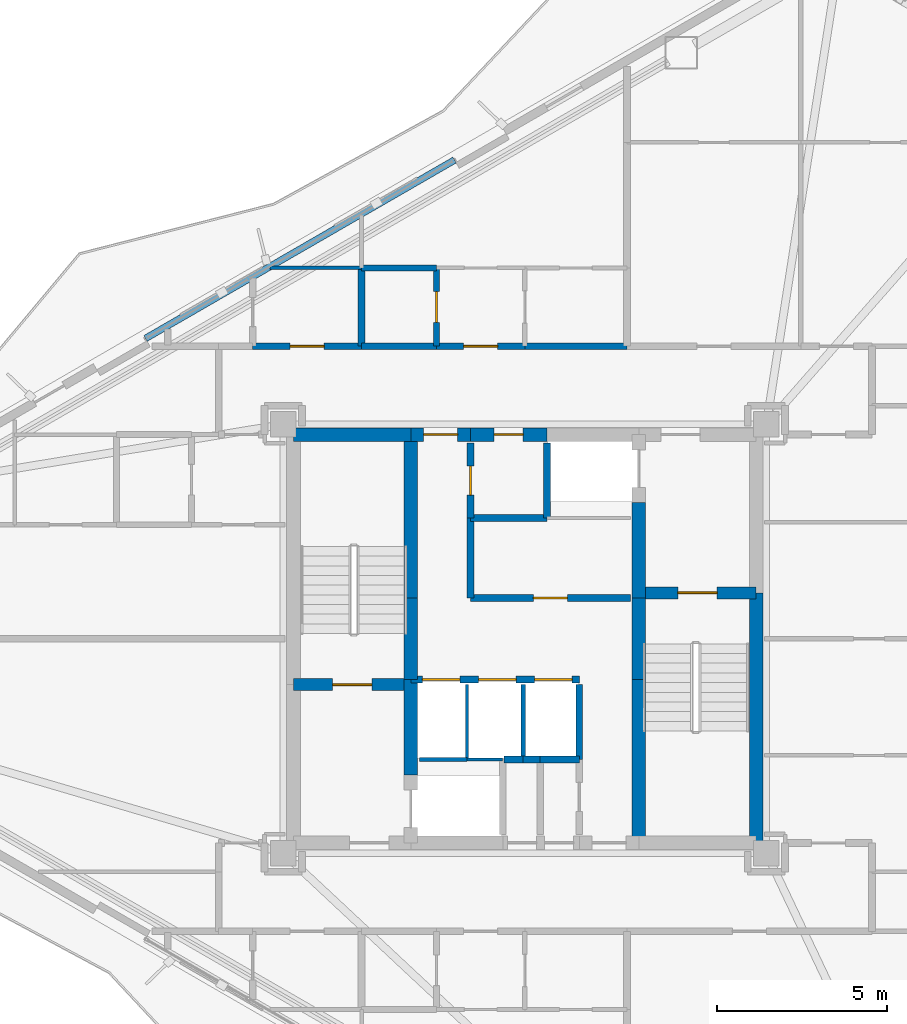
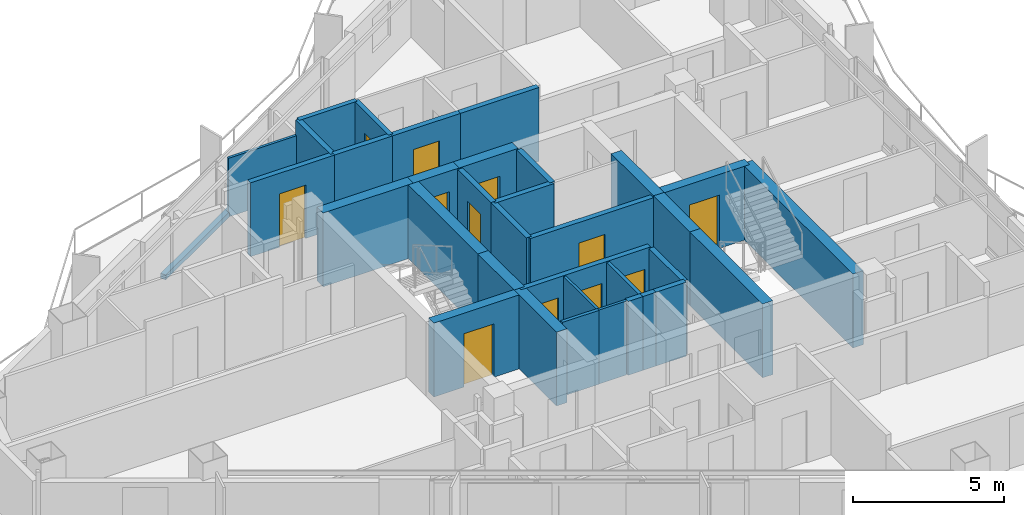
# One storey, part 14 of 18: 35 walls, 12 doors, 12 openings.
"""IFC4 building model written with IfcOpenShell, lengths in metres."""

from ifc_helpers import new_model, si_unit, direction, frame, frame_2d, origin, place, context, subcontext, project, spatial, rectangle, extrude, material, layer, layer_set, type_object, element, fill, save


model = new_model("IFC4")

# Units and contexts
model_context = context("Model", 3, precision=1e-05, world=origin(), true_north=direction((0.0, 1.0)))
body_context = subcontext(model_context, "Body", "Model", "MODEL_VIEW")
ifc_project = project(units=[si_unit("LENGTHUNIT", "METRE"), si_unit("AREAUNIT", "SQUARE_METRE"), si_unit("VOLUMEUNIT", "CUBIC_METRE"), si_unit("PLANEANGLEUNIT", "RADIAN"), si_unit("MASSUNIT", "GRAM", prefix="KILO")], contexts=[model_context])

# Site, building, storey
site_placement = place(None, origin())
site = spatial("IfcSite", under=ifc_project, at=site_placement, CompositionType="ELEMENT")
building_placement = place(site_placement, origin())
building = spatial("IfcBuilding", under=site, at=building_placement, Name="Mersakhor Tower and Convention Hall", CompositionType="ELEMENT")
storey_placement = place(building_placement, frame((0.0, 0.0, 157.5)))
storey = spatial("IfcBuildingStorey", under=building, at=storey_placement, Name="L44", CompositionType="ELEMENT", Elevation=157.5)

# Wall
ifc_material_1 = material(Name="Precast concrete C40/50", Category="concrete")
ifc_layer_1 = layer(ifc_material_1, 0.199951171875)
ifc_layer_set_1 = layer_set([ifc_layer_1], Name="Precast concrete C40/50")
wall_type_1 = type_object("IfcWallType", Name="WL-PAR-200", PredefinedType="PARAPET", material=ifc_layer_set_1)
wall_1_placement = place(storey_placement, frame((17.849853515625, 35.57666015625, 0.0), z_axis=(0.0, 0.0, 1.0), x_axis=(0.866026619769, 0.499997893847, 0.0)))
element("IfcWall", 1, at=wall_1_placement, inside=storey, type_object=wall_type_1, Name="L44 Curtain Wall Upstand Sill F1-B2", PredefinedType="PARAPET", context=body_context, shape_type="SweptSolid", body=[
    extrude(rectangle(XDim=10.48583984375, YDim=0.199951171875, at=frame_2d((5.242919921875, 0.0))), origin(), (0.0, 0.0, 1.0), 0.199951171875),
])

# Wall, opening, door
ifc_material_2 = material(Name="Moisture-resistant acoustic drywall studwork", Category="other")
ifc_layer_2 = layer(ifc_material_2, 0.175048828125)
ifc_layer_set_2 = layer_set([ifc_layer_2], Name="Moisture-resistant acoustic drywall studwork")
wall_type_2 = type_object("IfcWallType", Name="WL-PLM-175", PredefinedType="PLUMBINGWALL", material=ifc_layer_set_2)
wall_2_placement = place(storey_placement, frame((26.39990234375, 35.35009765625, 0.0), z_axis=(0.0, 0.0, 1.0), x_axis=(0.0, 1.0, 0.0)))
wall_2 = element("IfcWall", 2, at=wall_2_placement, inside=storey, type_object=wall_type_2, Name="L44 Interior Partition Wall P-054", PredefinedType="PLUMBINGWALL", context=body_context, shape_type="SweptSolid", body=[
    extrude(rectangle(XDim=2.2998046875, YDim=0.175048828125, at=frame_2d((1.14990234375, 0.0))), origin(), (0.0, 0.0, 1.0), 2.97998046875),
])
opening_1_placement = place(wall_2_placement, frame((0.699951171875, 0.0, 0.0)))
opening_1 = element("IfcOpeningElement", 3, at=opening_1_placement, cuts=wall_2, Name="Opening WD-01", PredefinedType="OPENING", context=body_context, shape_type="SweptSolid", body=[
    extrude(rectangle(XDim=0.89990234375, YDim=2.10009765625, at=frame_2d((0.449951171875, 1.050048828125))), frame((0.0, 0.097412109375, 0.0), z_axis=(0.0, -1.0, 0.0), x_axis=(1.0, 0.0, 0.0)), (0.0, 0.0, 1.0), 0.195068359375),
])
ifc_material_3 = material(Name="Solid-core hardwood leaf in painted steel frame", Category="steel")
door_type_1 = type_object("IfcDoorType", Name="DR-INT-WET-090x210", OperationType="NOTDEFINED", PredefinedType="DOOR", material=ifc_material_3)
door_1_placement = place(opening_1_placement, origin())
door_1 = element("IfcDoor", 4, at=door_1_placement, inside=storey, type_object=door_type_1, Name="L44 L44 Flat N2 Apartment Hall to L44 Flat N2 Bathroom Door", OperationType="SINGLE_SWING_LEFT", OverallHeight=2.10009765625, OverallWidth=0.89990234375, PredefinedType="DOOR", context=body_context, shape_type="SweptSolid", body=[
    extrude(rectangle(XDim=0.89990234375, YDim=2.10009765625, at=frame_2d((0.449951171875, 1.050048828125))), frame((0.0, 0.02490234375, 0.0), z_axis=(0.0, -1.0, 0.0), x_axis=(1.0, 0.0, 0.0)), (0.0, 0.0, 1.0), 0.050048828125),
])
fill(opening_1, door_1)

# Walls
wall_3_placement = place(storey_placement, frame((24.199951171875, 37.64990234375, 0.0), z_axis=(0.0, 0.0, 1.0), x_axis=(1.0, 0.0, 0.0)))
element("IfcWall", 5, at=wall_3_placement, inside=storey, type_object=wall_type_2, Name="L44 Interior Partition Wall P-063", PredefinedType="PLUMBINGWALL", context=body_context, shape_type="SweptSolid", body=[
    extrude(rectangle(XDim=2.199951171875, YDim=0.175048828125, at=frame_2d((1.10009765625, 0.0))), origin(), (0.0, 0.0, 1.0), 2.97998046875),
])
ifc_material_4 = material(Name="Lightweight gypsum partition", Category="other")
ifc_layer_3 = layer(ifc_material_4, 0.10009765625)
ifc_layer_set_3 = layer_set([ifc_layer_3], Name="Lightweight gypsum partition")
wall_type_3 = type_object("IfcWallType", Name="WL-PRT-100", PredefinedType="PARTITIONING", material=ifc_layer_set_3)
wall_4_placement = place(storey_placement, frame((27.300048828125, 23.199951171875, 0.0), z_axis=(0.0, 0.0, 1.0), x_axis=(1.0, 0.0, 0.0)))
element("IfcWall", 6, at=wall_4_placement, inside=storey, type_object=wall_type_3, Name="L44 Interior Partition Wall P-002", PredefinedType="PARTITIONING", context=body_context, shape_type="SweptSolid", body=[
    extrude(rectangle(XDim=1.050048828125, YDim=0.10009765625, at=frame_2d((0.52490234375, 0.0))), origin(), (0.0, 0.0, 1.0), 2.97998046875),
])
wall_5_placement = place(storey_placement, frame((27.300048828125, 25.39990234375, 0.0), z_axis=(0.0, 0.0, 1.0), x_axis=(0.0, -1.0, 0.0)))
element("IfcWall", 7, at=wall_5_placement, inside=storey, type_object=wall_type_3, Name="L44 Interior Partition Wall P-006", PredefinedType="PARTITIONING", context=body_context, shape_type="SweptSolid", body=[
    extrude(rectangle(XDim=2.199951171875, YDim=0.10009765625, at=frame_2d((1.10009765625, 0.0))), origin(), (0.0, 0.0, 1.0), 2.97998046875),
])
wall_6_placement = place(storey_placement, frame((21.510009765625, 37.64990234375, 0.0), z_axis=(0.0, 0.0, 1.0), x_axis=(1.0, 0.0, 0.0)))
element("IfcWall", 8, at=wall_6_placement, inside=storey, type_object=wall_type_3, Name="L44 Interior Partition Wall P-110", PredefinedType="PARTITIONING", context=body_context, shape_type="SweptSolid", body=[
    extrude(rectangle(XDim=2.68994140625, YDim=0.10009765625, at=frame_2d((1.344970703125, 0.0))), origin(), (0.0, 0.0, 1.0), 2.364990234375),
])
ifc_material_5 = material(Name="Gypsum board acoustic partition", Category="other")
ifc_layer_4 = layer(ifc_material_5, 0.125)
ifc_layer_set_4 = layer_set([ifc_layer_4], Name="Gypsum board acoustic partition")
wall_type_4 = type_object("IfcWallType", Name="WL-PRT-125", PredefinedType="PARTITIONING", material=ifc_layer_set_4)
wall_7_placement = place(storey_placement, frame((25.89990234375, 23.199951171875, 0.0), z_axis=(0.0, 0.0, 1.0), x_axis=(1.0, 0.0, 0.0)))
element("IfcWall", 9, at=wall_7_placement, inside=storey, type_object=wall_type_4, Name="L44 Interior Partition Wall P-001", PredefinedType="PARTITIONING", context=body_context, shape_type="SweptSolid", body=[
    extrude(rectangle(XDim=1.400146484375, YDim=0.125, at=frame_2d((0.7001953125, 0.0))), origin(), (0.0, 0.0, 1.0), 2.97998046875),
])
wall_8_placement = place(storey_placement, frame((28.949951171875, 25.39990234375, 0.0), z_axis=(0.0, 0.0, 1.0), x_axis=(0.0, -1.0, 0.0)))
element("IfcWall", 10, at=wall_8_placement, inside=storey, type_object=wall_type_4, Name="L44 Interior Partition Wall P-007", PredefinedType="PARTITIONING", context=body_context, shape_type="SweptSolid", body=[
    extrude(rectangle(XDim=2.199951171875, YDim=0.125, at=frame_2d((1.10009765625, 0.0))), origin(), (0.0, 0.0, 1.0), 2.97998046875),
])

# Wall, openings, doors
ifc_material_6 = material(Name="Acoustic concrete blockwork and gypsum board", Category="masonry")
ifc_layer_5 = layer(ifc_material_6, 0.199951171875)
ifc_layer_set_5 = layer_set([ifc_layer_5], Name="Acoustic concrete blockwork and gypsum board")
wall_type_5 = type_object("IfcWallType", Name="WL-PRT-200", PredefinedType="PARTITIONING", material=ifc_layer_set_5)
wall_9_placement = place(storey_placement, frame((25.64990234375, 25.550048828125, 0.0), z_axis=(0.0, 0.0, 1.0), x_axis=(1.0, 0.0, 0.0)))
wall_9 = element("IfcWall", 11, at=wall_9_placement, inside=storey, type_object=wall_type_5, Name="L44 High-Rise Lift Bank Front Wall", PredefinedType="PARTITIONING", context=body_context, shape_type="SweptSolid", body=[
    extrude(rectangle(XDim=4.9501953125, YDim=0.199951171875, at=frame_2d((2.47509765625, 0.0))), origin(), (0.0, 0.0, 1.0), 2.97998046875),
])
opening_2_placement = place(wall_9_placement, frame((0.340087890625, 0.0, 0.0)))
opening_2 = element("IfcOpeningElement", 12, at=opening_2_placement, cuts=wall_9, Name="Opening LD-P4", PredefinedType="OPENING", context=body_context, shape_type="SweptSolid", body=[
    extrude(rectangle(XDim=1.10009765625, YDim=2.14990234375, at=frame_2d((0.550048828125, 1.074951171875))), frame((0.0, 0.10986328125, 0.0), z_axis=(0.0, -1.0, 0.0), x_axis=(1.0, 0.0, 0.0)), (0.0, 0.0, 1.0), 0.219970703125),
])
opening_3_placement = place(wall_9_placement, frame((1.989990234375, 0.0, 0.0)))
opening_3 = element("IfcOpeningElement", 13, at=opening_3_placement, cuts=wall_9, Name="Opening LD-P5", PredefinedType="OPENING", context=body_context, shape_type="SweptSolid", body=[
    extrude(rectangle(XDim=1.10009765625, YDim=2.14990234375, at=frame_2d((0.550048828125, 1.074951171875))), frame((0.0, 0.10986328125, 0.0), z_axis=(0.0, -1.0, 0.0), x_axis=(1.0, 0.0, 0.0)), (0.0, 0.0, 1.0), 0.219970703125),
])
opening_4_placement = place(wall_9_placement, frame((3.639892578125, 0.0, 0.0)))
opening_4 = element("IfcOpeningElement", 14, at=opening_4_placement, cuts=wall_9, Name="Opening LD-P6", PredefinedType="OPENING", context=body_context, shape_type="SweptSolid", body=[
    extrude(rectangle(XDim=1.10009765625, YDim=2.14990234375, at=frame_2d((0.550048828125, 1.074951171875))), frame((0.0, 0.10986328125, 0.0), z_axis=(0.0, -1.0, 0.0), x_axis=(1.0, 0.0, 0.0)), (0.0, 0.0, 1.0), 0.219970703125),
])
ifc_material_7 = material(Name="Fire-rated brushed stainless steel sliding landing door", Category="steel")
door_type_2 = type_object("IfcDoorType", Name="DR-LIFT-SLD-110x215", OperationType="NOTDEFINED", PredefinedType="DOOR", material=ifc_material_7)
door_2_placement = place(opening_2_placement, origin())
door_2 = element("IfcDoor", 15, at=door_2_placement, inside=storey, type_object=door_type_2, Name="L44 Lift Landing Door LD-P4", OperationType="SLIDING_TO_LEFT", OverallHeight=2.14990234375, OverallWidth=1.10009765625, PredefinedType="DOOR", context=body_context, shape_type="SweptSolid", body=[
    extrude(rectangle(XDim=1.10009765625, YDim=2.14990234375, at=frame_2d((0.550048828125, 1.074951171875))), frame((0.0, 0.02490234375, 0.0), z_axis=(0.0, -1.0, 0.0), x_axis=(1.0, 0.0, 0.0)), (0.0, 0.0, 1.0), 0.050048828125),
])
fill(opening_2, door_2)
door_3_placement = place(opening_3_placement, origin())
door_3 = element("IfcDoor", 16, at=door_3_placement, inside=storey, type_object=door_type_2, Name="L44 Lift Landing Door LD-P5", OperationType="SLIDING_TO_LEFT", OverallHeight=2.14990234375, OverallWidth=1.10009765625, PredefinedType="DOOR", context=body_context, shape_type="SweptSolid", body=[
    extrude(rectangle(XDim=1.10009765625, YDim=2.14990234375, at=frame_2d((0.550048828125, 1.074951171875))), frame((0.0, 0.02490234375, 0.0), z_axis=(0.0, -1.0, 0.0), x_axis=(1.0, 0.0, 0.0)), (0.0, 0.0, 1.0), 0.050048828125),
])
fill(opening_3, door_3)
door_4_placement = place(opening_4_placement, origin())
door_4 = element("IfcDoor", 17, at=door_4_placement, inside=storey, type_object=door_type_2, Name="L44 Lift Landing Door LD-P6", OperationType="SLIDING_TO_LEFT", OverallHeight=2.14990234375, OverallWidth=1.10009765625, PredefinedType="DOOR", context=body_context, shape_type="SweptSolid", body=[
    extrude(rectangle(XDim=1.10009765625, YDim=2.14990234375, at=frame_2d((0.550048828125, 1.074951171875))), frame((0.0, 0.02490234375, 0.0), z_axis=(0.0, -1.0, 0.0), x_axis=(1.0, 0.0, 0.0)), (0.0, 0.0, 1.0), 0.050048828125),
])
fill(opening_4, door_4)

# Walls
wall_10_placement = place(storey_placement, frame((29.64990234375, 30.300048828125, 0.0), z_axis=(0.0, 0.0, 1.0), x_axis=(0.0, 1.0, 0.0)))
element("IfcWall", 18, at=wall_10_placement, inside=storey, type_object=wall_type_5, Name="L44 Interior Partition Wall P-005", PredefinedType="PARTITIONING", context=body_context, shape_type="SweptSolid", body=[
    extrude(rectangle(XDim=2.199951171875, YDim=0.199951171875, at=frame_2d((1.10009765625, 0.0))), origin(), (0.0, 0.0, 1.0), 2.97998046875),
])
wall_11_placement = place(storey_placement, frame((28.949951171875, 23.199951171875, 0.0), z_axis=(0.0, 0.0, 1.0), x_axis=(-1.0, 0.0, 0.0)))
element("IfcWall", 19, at=wall_11_placement, inside=storey, type_object=wall_type_5, Name="L44 Interior Partition Wall P-008", PredefinedType="PARTITIONING", context=body_context, shape_type="SweptSolid", body=[
    extrude(rectangle(XDim=0.570068359375, YDim=0.199951171875, at=frame_2d((0.28515625, 0.0))), origin(), (0.0, 0.0, 1.0), 2.97998046875),
])
wall_12_placement = place(storey_placement, frame((30.60009765625, 25.39990234375, 0.0), z_axis=(0.0, 0.0, 1.0), x_axis=(0.0, -1.0, 0.0)))
element("IfcWall", 20, at=wall_12_placement, inside=storey, type_object=wall_type_5, Name="L44 Interior Partition Wall P-009", PredefinedType="PARTITIONING", context=body_context, shape_type="SweptSolid", body=[
    extrude(rectangle(XDim=2.199951171875, YDim=0.199951171875, at=frame_2d((1.10009765625, 0.0))), origin(), (0.0, 0.0, 1.0), 2.97998046875),
])
wall_13_placement = place(storey_placement, frame((30.60009765625, 23.199951171875, 0.0), z_axis=(0.0, 0.0, 1.0), x_axis=(-1.0, 0.0, 0.0)))
element("IfcWall", 21, at=wall_13_placement, inside=storey, type_object=wall_type_5, Name="L44 Interior Partition Wall P-010", PredefinedType="PARTITIONING", context=body_context, shape_type="SweptSolid", body=[
    extrude(rectangle(XDim=1.150146484375, YDim=0.199951171875, at=frame_2d((0.5751953125, 0.0))), origin(), (0.0, 0.0, 1.0), 2.97998046875),
])
wall_14_placement = place(storey_placement, frame((29.449951171875, 23.199951171875, 0.0), z_axis=(0.0, 0.0, 1.0), x_axis=(-1.0, 0.0, 0.0)))
element("IfcWall", 22, at=wall_14_placement, inside=storey, type_object=wall_type_5, Name="L44 Interior Partition Wall P-011", PredefinedType="PARTITIONING", context=body_context, shape_type="SweptSolid", body=[
    extrude(rectangle(XDim=0.5, YDim=0.199951171875, at=frame_2d((0.25, 0.0))), origin(), (0.0, 0.0, 1.0), 2.97998046875),
])

# Wall, opening, door
wall_15_placement = place(storey_placement, frame((27.39990234375, 32.5, 0.0), z_axis=(0.0, 0.0, 1.0), x_axis=(0.0, -1.0, 0.0)))
wall_15 = element("IfcWall", 23, at=wall_15_placement, inside=storey, type_object=wall_type_5, Name="L44 Interior Partition Wall P-013", PredefinedType="PARTITIONING", context=body_context, shape_type="SweptSolid", body=[
    extrude(rectangle(XDim=2.199951171875, YDim=0.199951171875, at=frame_2d((1.10009765625, 0.0))), origin(), (0.0, 0.0, 1.0), 2.97998046875),
])
opening_5_placement = place(wall_15_placement, frame((0.675048828125, 0.0, 0.0)))
opening_5 = element("IfcOpeningElement", 24, at=opening_5_placement, cuts=wall_15, Name="Opening SVD-01", PredefinedType="OPENING", context=body_context, shape_type="SweptSolid", body=[
    extrude(rectangle(XDim=0.85009765625, YDim=2.10009765625, at=frame_2d((0.425048828125, 1.050048828125))), frame((0.0, 0.10986328125, 0.0), z_axis=(0.0, -1.0, 0.0), x_axis=(1.0, 0.0, 0.0)), (0.0, 0.0, 1.0), 0.219970703125),
])
ifc_material_8 = material(Name="Fire-rated hardwood leaf and painted steel frame", Category="steel")
door_type_3 = type_object("IfcDoorType", Name="DR-INT-SVC-085x210", OperationType="NOTDEFINED", PredefinedType="DOOR", material=ifc_material_8)
door_5_placement = place(opening_5_placement, origin())
door_5 = element("IfcDoor", 25, at=door_5_placement, inside=storey, type_object=door_type_3, Name="L44 Central Passenger Lift Lobby to High-Zone Telecoms Room Door", OperationType="SINGLE_SWING_LEFT", OverallHeight=2.10009765625, OverallWidth=0.85009765625, PredefinedType="DOOR", context=body_context, shape_type="SweptSolid", body=[
    extrude(rectangle(XDim=0.85009765625, YDim=2.10009765625, at=frame_2d((0.425048828125, 1.050048828125))), frame((0.0, 0.02490234375, 0.0), z_axis=(0.0, -1.0, 0.0), x_axis=(1.0, 0.0, 0.0)), (0.0, 0.0, 1.0), 0.050048828125),
])
fill(opening_5, door_5)

# Wall
wall_16_placement = place(storey_placement, frame((27.39990234375, 30.300048828125, 0.0), z_axis=(0.0, 0.0, 1.0), x_axis=(0.0, -1.0, 0.0)))
element("IfcWall", 26, at=wall_16_placement, inside=storey, type_object=wall_type_5, Name="L44 Interior Partition Wall P-014", PredefinedType="PARTITIONING", context=body_context, shape_type="SweptSolid", body=[
    extrude(rectangle(XDim=2.35009765625, YDim=0.199951171875, at=frame_2d((1.175048828125, 0.0))), origin(), (0.0, 0.0, 1.0), 2.97998046875),
])

# Wall, opening, door
wall_17_placement = place(storey_placement, frame((27.39990234375, 27.949951171875, 0.0), z_axis=(0.0, 0.0, 1.0), x_axis=(1.0, 0.0, 0.0)))
wall_17 = element("IfcWall", 27, at=wall_17_placement, inside=storey, type_object=wall_type_5, Name="L44 Interior Partition Wall P-015", PredefinedType="PARTITIONING", context=body_context, shape_type="SweptSolid", body=[
    extrude(rectangle(XDim=4.7001953125, YDim=0.199951171875, at=frame_2d((2.35009765625, 0.0))), origin(), (0.0, 0.0, 1.0), 2.97998046875),
])
opening_6_placement = place(wall_17_placement, frame((1.85009765625, 0.0, 0.0)))
opening_6 = element("IfcOpeningElement", 28, at=opening_6_placement, cuts=wall_17, Name="Opening FD-01", PredefinedType="OPENING", context=body_context, shape_type="SweptSolid", body=[
    extrude(rectangle(XDim=1.0, YDim=2.14990234375, at=frame_2d((0.5, 1.074951171875))), frame((0.0, 0.10986328125, 0.0), z_axis=(0.0, -1.0, 0.0), x_axis=(1.0, 0.0, 0.0)), (0.0, 0.0, 1.0), 0.219970703125),
])
ifc_material_9 = material(Name="Fire-rated hardwood leaf and painted steel frame", Category="steel")
door_type_4 = type_object("IfcDoorType", Name="DR-INT-FLT-100x215", OperationType="NOTDEFINED", PredefinedType="DOOR", material=ifc_material_9)
door_6_placement = place(opening_6_placement, origin())
door_6 = element("IfcDoor", 29, at=door_6_placement, inside=storey, type_object=door_type_4, Name="L44 Central Passenger Lift Lobby to Shared Floor Tea Pantry Door", OperationType="SINGLE_SWING_RIGHT", OverallHeight=2.14990234375, OverallWidth=1.0, PredefinedType="DOOR", context=body_context, shape_type="SweptSolid", body=[
    extrude(rectangle(XDim=1.0, YDim=2.14990234375, at=frame_2d((0.5, 1.074951171875))), frame((0.0, 0.02490234375, 0.0), z_axis=(0.0, -1.0, 0.0), x_axis=(1.0, 0.0, 0.0)), (0.0, 0.0, 1.0), 0.050048828125),
])
fill(opening_6, door_6)

wall_18_placement = place(storey_placement, frame((21.0, 35.35009765625, 0.0), z_axis=(0.0, 0.0, 1.0), x_axis=(1.0, 0.0, 0.0)))
wall_18 = element("IfcWall", 30, at=wall_18_placement, inside=storey, type_object=wall_type_5, Name="L44 Interior Partition Wall P-023", PredefinedType="PARTITIONING", context=body_context, shape_type="SweptSolid", body=[
    extrude(rectangle(XDim=3.199951171875, YDim=0.199951171875, at=frame_2d((1.60009765625, 0.0))), origin(), (0.0, 0.0, 1.0), 2.97998046875),
])
opening_7_placement = place(wall_18_placement, frame((1.10009765625, 0.0, 0.0)))
opening_7 = element("IfcOpeningElement", 31, at=opening_7_placement, cuts=wall_18, Name="Opening FD-01", PredefinedType="OPENING", context=body_context, shape_type="SweptSolid", body=[
    extrude(rectangle(XDim=1.0, YDim=2.14990234375, at=frame_2d((0.5, 1.074951171875))), frame((0.0, 0.10986328125, 0.0), z_axis=(0.0, -1.0, 0.0), x_axis=(1.0, 0.0, 0.0)), (0.0, 0.0, 1.0), 0.219970703125),
])
door_7_placement = place(opening_7_placement, origin())
door_7 = element("IfcDoor", 32, at=door_7_placement, inside=storey, type_object=door_type_4, Name="L44 Residential North Gallery Corridor to L44 Floor Shared Tea Pantry 1-2 Door", OperationType="SINGLE_SWING_LEFT", OverallHeight=2.14990234375, OverallWidth=1.0, PredefinedType="DOOR", context=body_context, shape_type="SweptSolid", body=[
    extrude(rectangle(XDim=1.0, YDim=2.14990234375, at=frame_2d((0.5, 1.074951171875))), frame((0.0, 0.02490234375, 0.0), z_axis=(0.0, -1.0, 0.0), x_axis=(1.0, 0.0, 0.0)), (0.0, 0.0, 1.0), 0.050048828125),
])
fill(opening_7, door_7)

# Wall
wall_19_placement = place(storey_placement, frame((24.199951171875, 35.35009765625, 0.0), z_axis=(0.0, 0.0, 1.0), x_axis=(1.0, 0.0, 0.0)))
element("IfcWall", 33, at=wall_19_placement, inside=storey, type_object=wall_type_5, Name="L44 Interior Partition Wall P-024", PredefinedType="PARTITIONING", context=body_context, shape_type="SweptSolid", body=[
    extrude(rectangle(XDim=2.199951171875, YDim=0.199951171875, at=frame_2d((1.10009765625, 0.0))), origin(), (0.0, 0.0, 1.0), 2.97998046875),
])

# Wall, opening, door
wall_20_placement = place(storey_placement, frame((26.39990234375, 35.35009765625, 0.0), z_axis=(0.0, 0.0, 1.0), x_axis=(1.0, 0.0, 0.0)))
wall_20 = element("IfcWall", 34, at=wall_20_placement, inside=storey, type_object=wall_type_5, Name="L44 Interior Partition Wall P-025", PredefinedType="PARTITIONING", context=body_context, shape_type="SweptSolid", body=[
    extrude(rectangle(XDim=2.60009765625, YDim=0.199951171875, at=frame_2d((1.300048828125, 0.0))), origin(), (0.0, 0.0, 1.0), 2.97998046875),
])
opening_8_placement = place(wall_20_placement, frame((0.800048828125, 0.0, 0.0)))
opening_8 = element("IfcOpeningElement", 35, at=opening_8_placement, cuts=wall_20, Name="Opening FD-01", PredefinedType="OPENING", context=body_context, shape_type="SweptSolid", body=[
    extrude(rectangle(XDim=1.0, YDim=2.14990234375, at=frame_2d((0.5, 1.074951171875))), frame((0.0, 0.10986328125, 0.0), z_axis=(0.0, -1.0, 0.0), x_axis=(1.0, 0.0, 0.0)), (0.0, 0.0, 1.0), 0.219970703125),
])
door_8_placement = place(opening_8_placement, origin())
door_8 = element("IfcDoor", 36, at=door_8_placement, inside=storey, type_object=door_type_4, Name="L44 Apartment Entrance Door (Residential North Gallery Corridor to L44 Flat N2 Apartment Hall)", OperationType="SINGLE_SWING_LEFT", OverallHeight=2.14990234375, OverallWidth=1.0, PredefinedType="DOOR", context=body_context, shape_type="SweptSolid", body=[
    extrude(rectangle(XDim=1.0, YDim=2.14990234375, at=frame_2d((0.5, 1.074951171875))), frame((0.0, 0.02490234375, 0.0), z_axis=(0.0, -1.0, 0.0), x_axis=(1.0, 0.0, 0.0)), (0.0, 0.0, 1.0), 0.050048828125),
])
fill(opening_8, door_8)

# Walls
wall_21_placement = place(storey_placement, frame((29.0, 35.35009765625, 0.0), z_axis=(0.0, 0.0, 1.0), x_axis=(1.0, 0.0, 0.0)))
element("IfcWall", 37, at=wall_21_placement, inside=storey, type_object=wall_type_5, Name="L44 Interior Partition Wall P-026", PredefinedType="PARTITIONING", context=body_context, shape_type="SweptSolid", body=[
    extrude(rectangle(XDim=3.0, YDim=0.199951171875, at=frame_2d((1.5, 0.0))), origin(), (0.0, 0.0, 1.0), 2.97998046875),
])
wall_22_placement = place(storey_placement, frame((24.199951171875, 35.35009765625, 0.0), z_axis=(0.0, 0.0, 1.0), x_axis=(0.0, 1.0, 0.0)))
element("IfcWall", 38, at=wall_22_placement, inside=storey, type_object=wall_type_5, Name="L44 Interior Partition Wall P-064", PredefinedType="PARTITIONING", context=body_context, shape_type="SweptSolid", body=[
    extrude(rectangle(XDim=2.2998046875, YDim=0.199951171875, at=frame_2d((1.14990234375, 0.0))), origin(), (0.0, 0.0, 1.0), 2.97998046875),
])
wall_23_placement = place(storey_placement, frame((27.39990234375, 30.300048828125, 0.0), z_axis=(0.0, 0.0, 1.0), x_axis=(1.0, 0.0, 0.0)))
element("IfcWall", 39, at=wall_23_placement, inside=storey, type_object=wall_type_5, Name="L44 Interior Partition Wall P-077", PredefinedType="PARTITIONING", context=body_context, shape_type="SweptSolid", body=[
    extrude(rectangle(XDim=2.25, YDim=0.199951171875, at=frame_2d((1.125, 0.0))), origin(), (0.0, 0.0, 1.0), 2.97998046875),
])

# Wall, opening, door
ifc_material_10 = material(Name="Concrete C50/60", Category="concrete")
ifc_layer_6 = layer(ifc_material_10, 0.35009765625)
ifc_layer_set_6 = layer_set([ifc_layer_6], Name="Concrete C50/60")
wall_type_6 = type_object("IfcWallType", Name="WL-SHR-350", PredefinedType="SHEAR", material=ifc_layer_set_6)
wall_24_placement = place(storey_placement, frame((22.199951171875, 25.39990234375, 0.0), z_axis=(0.0, 0.0, 1.0), x_axis=(1.0, 0.0, 0.0)))
wall_24 = element("IfcWall", 40, at=wall_24_placement, inside=storey, type_object=wall_type_6, Name="L44 Core Wall CS-ST1-S", PredefinedType="SHEAR", context=body_context, shape_type="SweptSolid", body=[
    extrude(rectangle(XDim=3.449951171875, YDim=0.35009765625, at=frame_2d((1.72509765625, 0.0))), origin(), (0.0, 0.0, 1.0), 2.97998046875),
])
opening_9_placement = place(wall_24_placement, frame((1.14990234375, 0.0, 0.0)))
opening_9 = element("IfcOpeningElement", 41, at=opening_9_placement, cuts=wall_24, Name="Opening SD-01", PredefinedType="OPENING", context=body_context, shape_type="SweptSolid", body=[
    extrude(rectangle(XDim=1.14990234375, YDim=2.14990234375, at=frame_2d((0.574951171875, 1.074951171875))), frame((0.0, 0.18505859375, 0.0), z_axis=(0.0, -1.0, 0.0), x_axis=(1.0, 0.0, 0.0)), (0.0, 0.0, 1.0), 0.3701171875),
])
ifc_material_11 = material(Name="Fire-rated hardwood leaf and painted steel frame", Category="steel")
door_type_5 = type_object("IfcDoorType", Name="DR-INT-STAIR-115x215", OperationType="NOTDEFINED", PredefinedType="DOOR", material=ifc_material_11)
door_9_placement = place(opening_9_placement, origin())
door_9 = element("IfcDoor", 42, at=door_9_placement, inside=storey, type_object=door_type_5, Name="L44 Exit Stair ST-1 Enclosure Door", OperationType="SINGLE_SWING_LEFT", OverallHeight=2.14990234375, OverallWidth=1.14990234375, PredefinedType="DOOR", context=body_context, shape_type="SweptSolid", body=[
    extrude(rectangle(XDim=1.14990234375, YDim=2.14990234375, at=frame_2d((0.574951171875, 1.074951171875))), frame((0.0, 0.02490234375, 0.0), z_axis=(0.0, -1.0, 0.0), x_axis=(1.0, 0.0, 0.0)), (0.0, 0.0, 1.0), 0.050048828125),
])
fill(opening_9, door_9)

wall_25_placement = place(storey_placement, frame((32.35009765625, 28.10009765625, 0.0), z_axis=(0.0, 0.0, 1.0), x_axis=(1.0, 0.0, 0.0)))
wall_25 = element("IfcWall", 43, at=wall_25_placement, inside=storey, type_object=wall_type_6, Name="L44 Core Wall CS-ST2-N", PredefinedType="SHEAR", context=body_context, shape_type="SweptSolid", body=[
    extrude(rectangle(XDim=3.449951171875, YDim=0.35009765625, at=frame_2d((1.72509765625, 0.0))), origin(), (0.0, 0.0, 1.0), 2.97998046875),
])
opening_10_placement = place(wall_25_placement, frame((1.14990234375, 0.0, 0.0)))
opening_10 = element("IfcOpeningElement", 44, at=opening_10_placement, cuts=wall_25, Name="Opening SD-01", PredefinedType="OPENING", context=body_context, shape_type="SweptSolid", body=[
    extrude(rectangle(XDim=1.14990234375, YDim=2.14990234375, at=frame_2d((0.574951171875, 1.074951171875))), frame((0.0, 0.18505859375, 0.0), z_axis=(0.0, -1.0, 0.0), x_axis=(1.0, 0.0, 0.0)), (0.0, 0.0, 1.0), 0.3701171875),
])
door_10_placement = place(opening_10_placement, origin())
door_10 = element("IfcDoor", 45, at=door_10_placement, inside=storey, type_object=door_type_5, Name="L44 Exit Stair ST-2 Enclosure Door", OperationType="SINGLE_SWING_RIGHT", OverallHeight=2.14990234375, OverallWidth=1.14990234375, PredefinedType="DOOR", context=body_context, shape_type="SweptSolid", body=[
    extrude(rectangle(XDim=1.14990234375, YDim=2.14990234375, at=frame_2d((0.574951171875, 1.074951171875))), frame((0.0, 0.02490234375, 0.0), z_axis=(0.0, -1.0, 0.0), x_axis=(1.0, 0.0, 0.0)), (0.0, 0.0, 1.0), 0.050048828125),
])
fill(opening_10, door_10)

# Wall
ifc_material_12 = material(Name="Concrete C60/75", Category="concrete")
ifc_layer_7 = layer(ifc_material_12, 0.39990234375)
ifc_layer_set_7 = layer_set([ifc_layer_7], Name="Concrete C60/75")
wall_type_7 = type_object("IfcWallType", Name="WL-SHR-400", PredefinedType="SHEAR", material=ifc_layer_set_7)
wall_26_placement = place(storey_placement, frame((22.199951171875, 32.75, 0.0), z_axis=(0.0, 0.0, 1.0), x_axis=(1.0, 0.0, 0.0)))
element("IfcWall", 46, at=wall_26_placement, inside=storey, type_object=wall_type_7, Name="L44 Core Wall CW-N1", PredefinedType="SHEAR", context=body_context, shape_type="SweptSolid", body=[
    extrude(rectangle(XDim=3.449951171875, YDim=0.39990234375, at=frame_2d((1.72509765625, 0.0))), origin(), (0.0, 0.0, 1.0), 2.97998046875),
])

# Wall, opening, door
wall_27_placement = place(storey_placement, frame((25.64990234375, 32.75, 0.0), z_axis=(0.0, 0.0, 1.0), x_axis=(1.0, 0.0, 0.0)))
wall_27 = element("IfcWall", 47, at=wall_27_placement, inside=storey, type_object=wall_type_7, Name="L44 Core Wall CW-N2A", PredefinedType="SHEAR", context=body_context, shape_type="SweptSolid", body=[
    extrude(rectangle(XDim=1.75, YDim=0.39990234375, at=frame_2d((0.875, 0.0))), origin(), (0.0, 0.0, 1.0), 2.97998046875),
])
opening_11_placement = place(wall_27_placement, frame((0.375, 0.0, 0.0)))
opening_11 = element("IfcOpeningElement", 48, at=opening_11_placement, cuts=wall_27, Name="Opening CFD-01", PredefinedType="OPENING", context=body_context, shape_type="SweptSolid", body=[
    extrude(rectangle(XDim=1.0, YDim=2.14990234375, at=frame_2d((0.5, 1.074951171875))), frame((0.0, 0.2099609375, 0.0), z_axis=(0.0, -1.0, 0.0), x_axis=(1.0, 0.0, 0.0)), (0.0, 0.0, 1.0), 0.419921875),
])
ifc_material_13 = material(Name="Fire-rated hardwood leaf and painted steel frame", Category="steel")
door_type_6 = type_object("IfcDoorType", Name="DR-CORE-FD-100x215", OperationType="NOTDEFINED", PredefinedType="DOOR", material=ifc_material_13)
door_11_placement = place(opening_11_placement, origin())
door_11 = element("IfcDoor", 49, at=door_11_placement, inside=storey, type_object=door_type_6, Name="L44 Lift Lobby North Corridor Door", OperationType="SINGLE_SWING_LEFT", OverallHeight=2.14990234375, OverallWidth=1.0, PredefinedType="DOOR", context=body_context, shape_type="SweptSolid", body=[
    extrude(rectangle(XDim=1.0, YDim=2.14990234375, at=frame_2d((0.5, 1.074951171875))), frame((0.0, 0.02490234375, 0.0), z_axis=(0.0, -1.0, 0.0), x_axis=(1.0, 0.0, 0.0)), (0.0, 0.0, 1.0), 0.050048828125),
])
fill(opening_11, door_11)

wall_28_placement = place(storey_placement, frame((27.39990234375, 32.75, 0.0), z_axis=(0.0, 0.0, 1.0), x_axis=(1.0, 0.0, 0.0)))
wall_28 = element("IfcWall", 50, at=wall_28_placement, inside=storey, type_object=wall_type_7, Name="L44 Core Wall CW-N2B", PredefinedType="SHEAR", context=body_context, shape_type="SweptSolid", body=[
    extrude(rectangle(XDim=2.25, YDim=0.39990234375, at=frame_2d((1.125, 0.0))), origin(), (0.0, 0.0, 1.0), 2.97998046875),
])
opening_12_placement = place(wall_28_placement, frame((0.699951171875, 0.0, 0.0)))
opening_12 = element("IfcOpeningElement", 51, at=opening_12_placement, cuts=wall_28, Name="Opening SVD-01", PredefinedType="OPENING", context=body_context, shape_type="SweptSolid", body=[
    extrude(rectangle(XDim=0.85009765625, YDim=2.10009765625, at=frame_2d((0.425048828125, 1.050048828125))), frame((0.0, 0.2099609375, 0.0), z_axis=(0.0, -1.0, 0.0), x_axis=(1.0, 0.0, 0.0)), (0.0, 0.0, 1.0), 0.419921875),
])
door_12_placement = place(opening_12_placement, origin())
door_12 = element("IfcDoor", 52, at=door_12_placement, inside=storey, type_object=door_type_3, Name="L44 Residential North Gallery Corridor to High-Zone Telecoms Room Door", OperationType="SINGLE_SWING_LEFT", OverallHeight=2.10009765625, OverallWidth=0.85009765625, PredefinedType="DOOR", context=body_context, shape_type="SweptSolid", body=[
    extrude(rectangle(XDim=0.85009765625, YDim=2.10009765625, at=frame_2d((0.425048828125, 1.050048828125))), frame((0.0, 0.02490234375, 0.0), z_axis=(0.0, -1.0, 0.0), x_axis=(1.0, 0.0, 0.0)), (0.0, 0.0, 1.0), 0.050048828125),
])
fill(opening_12, door_12)

# Walls
wall_29_placement = place(storey_placement, frame((35.800048828125, 28.10009765625, 0.0), z_axis=(0.0, 0.0, 1.0), x_axis=(0.0, -1.0, 0.0)))
element("IfcWall", 53, at=wall_29_placement, inside=storey, type_object=wall_type_7, Name="L44 Core Wall CW-E2", PredefinedType="SHEAR", context=body_context, shape_type="SweptSolid", body=[
    extrude(rectangle(XDim=7.35009765625, YDim=0.39990234375, at=frame_2d((3.675048828125, 0.0))), origin(), (0.0, 0.0, 1.0), 2.97998046875),
])
wall_30_placement = place(storey_placement, frame((25.64990234375, 22.75, 0.0), z_axis=(0.0, 0.0, 1.0), x_axis=(0.0, 1.0, 0.0)))
element("IfcWall", 54, at=wall_30_placement, inside=storey, type_object=wall_type_7, Name="L44 Core Wall CS-W-MID", PredefinedType="SHEAR", context=body_context, shape_type="SweptSolid", body=[
    extrude(rectangle(XDim=2.800048828125, YDim=0.39990234375, at=frame_2d((1.39990234375, 0.0))), origin(), (0.0, 0.0, 1.0), 2.97998046875),
])
wall_31_placement = place(storey_placement, frame((25.64990234375, 25.550048828125, 0.0), z_axis=(0.0, 0.0, 1.0), x_axis=(0.0, 1.0, 0.0)))
element("IfcWall", 55, at=wall_31_placement, inside=storey, type_object=wall_type_7, Name="L44 Core Wall CS-W-LOB", PredefinedType="SHEAR", context=body_context, shape_type="SweptSolid", body=[
    extrude(rectangle(XDim=2.39990234375, YDim=0.39990234375, at=frame_2d((1.199951171875, 0.0))), origin(), (0.0, 0.0, 1.0), 2.97998046875),
])
for number, where, z_axis, x_axis, name in (
    (56, (25.64990234375, 27.949951171875, 0.0), (0.0, 0.0, 1.0), (0.0, 1.0, 0.0), "L44 Core Wall CS-W-ST1"),
    (57, (32.35009765625, 20.75, 0.0), (0.0, 0.0, 1.0), (0.0, 1.0, 0.0), "L44 Core Wall CS-E-ST2"),
):
    element("IfcWall", number, at=place(storey_placement, frame(where, z_axis=z_axis, x_axis=x_axis)), inside=storey, type_object=wall_type_7, Name=name, PredefinedType="SHEAR", context=body_context, shape_type="SweptSolid", body=[
        extrude(rectangle(XDim=4.800048828125, YDim=0.39990234375, at=frame_2d((2.39990234375, 0.0))), origin(), (0.0, 0.0, 1.0), 2.97998046875),
    ])
wall_32_placement = place(storey_placement, frame((32.35009765625, 25.550048828125, 0.0), z_axis=(0.0, 0.0, 1.0), x_axis=(0.0, 1.0, 0.0)))
element("IfcWall", 58, at=wall_32_placement, inside=storey, type_object=wall_type_7, Name="L44 Core Wall CS-E-LOB", PredefinedType="SHEAR", context=body_context, shape_type="SweptSolid", body=[
    extrude(rectangle(XDim=2.39990234375, YDim=0.39990234375, at=frame_2d((1.199951171875, 0.0))), origin(), (0.0, 0.0, 1.0), 2.97998046875),
])
wall_33_placement = place(storey_placement, frame((32.35009765625, 27.949951171875, 0.0), z_axis=(0.0, 0.0, 1.0), x_axis=(0.0, 1.0, 0.0)))
element("IfcWall", 59, at=wall_33_placement, inside=storey, type_object=wall_type_7, Name="L44 Core Wall CS-E-MID", PredefinedType="SHEAR", context=body_context, shape_type="SweptSolid", body=[
    extrude(rectangle(XDim=2.800048828125, YDim=0.39990234375, at=frame_2d((1.39990234375, 0.0))), origin(), (0.0, 0.0, 1.0), 2.97998046875),
])

save(model, "model.ifc")
